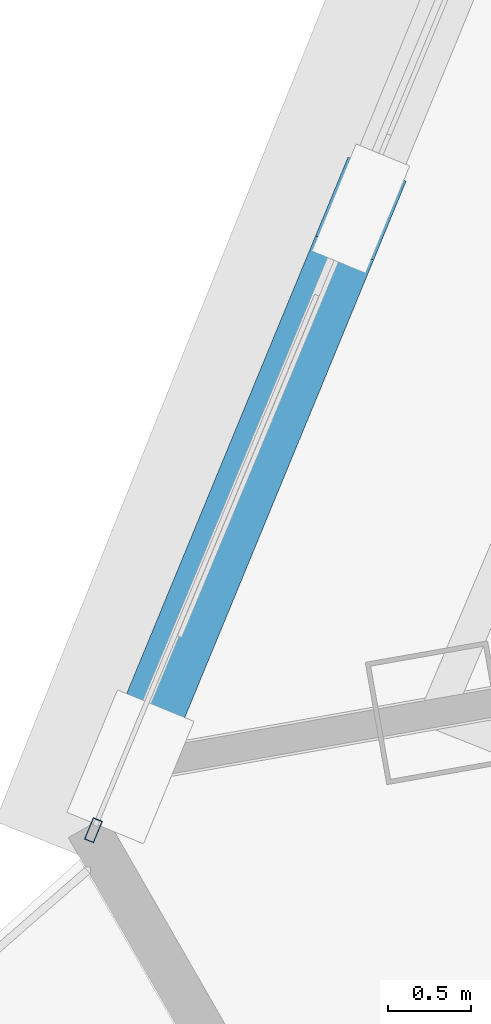
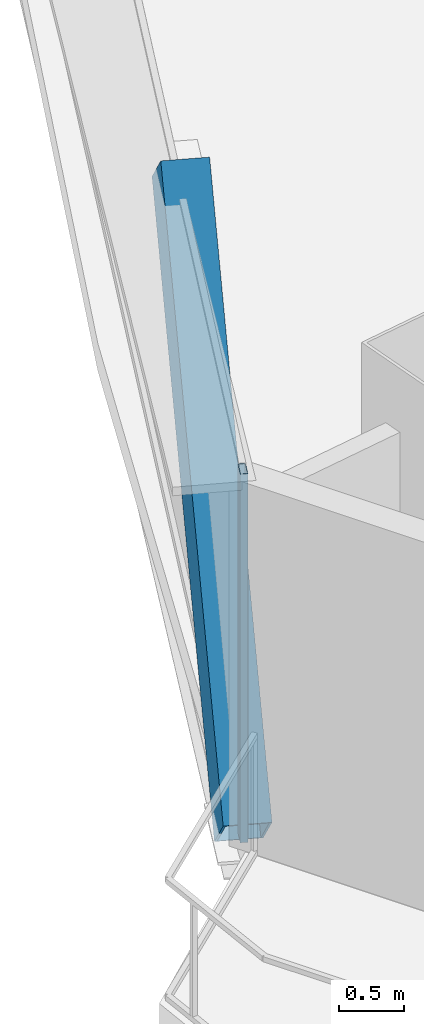
# One storey, part 4 of 35: 2 members, 1 element without a shape of its own.
"""IFC4 building model written with IfcOpenShell, lengths in metres."""

from ifc_helpers import new_model, si_unit, direction, frame, origin, origin_2d, place, context, subcontext, project, spatial, hollow_rectangle, extrude, source, transform, mapped, material, layer, layer_set, material_profile, profile_set, type_object, element, aggregate, save


model = new_model("IFC4")

# Units and contexts
model_context = context("Model", 3, precision=1e-05, world=origin(), true_north=direction((0.0, 1.0)))
body_context = subcontext(model_context, "Body", "Model", "MODEL_VIEW")
ifc_project = project(units=[si_unit("LENGTHUNIT", "METRE"), si_unit("AREAUNIT", "SQUARE_METRE"), si_unit("VOLUMEUNIT", "CUBIC_METRE"), si_unit("PLANEANGLEUNIT", "RADIAN"), si_unit("MASSUNIT", "GRAM", prefix="KILO"), si_unit("THERMODYNAMICTEMPERATUREUNIT", "KELVIN"), si_unit("POWERUNIT", "WATT")], contexts=[model_context])

# Site, building, storey
site_placement = place(None, origin())
site = spatial("IfcSite", under=ifc_project, at=site_placement, CompositionType="ELEMENT")
building_placement = place(site_placement, origin())
building = spatial("IfcBuilding", under=site, at=building_placement, Name="Yunzhuo Pagoda Commons", CompositionType="ELEMENT")
storey_placement = place(building_placement, frame((0.0, 0.0, 303.669921875)))
storey = spatial("IfcBuildingStorey", under=building, at=storey_placement, Name="L76", CompositionType="ELEMENT", Elevation=303.669921875)

# Member
ifc_material_1 = material(Name="Structural steel Q355B", Category="steel")
ifc_material_profile_1 = material_profile(ifc_material_1, hollow_rectangle(XDim=0.3798828125, YDim=0.719970703125, WallThickness=0.02001953125, at=origin_2d()), Name="Structural steel Q355B")
ifc_profile_set_1 = profile_set([ifc_material_profile_1], Name="Structural steel Q355B")
member_type_1 = type_object("IfcMemberType", Name="M-DL3 Brace BOX 720x380x20", PredefinedType="BRACE", material=ifc_profile_set_1)
shared_shape_1 = source(origin(), body_context, "Body", "SweptSolid", [
    extrude(hollow_rectangle(XDim=0.3798828125, YDim=0.719970703125, WallThickness=0.02001953125, at=origin_2d()), origin(), (0.0, 0.0, 1.0), 5.217041015625),
])
member_1_placement = place(storey_placement, frame((17.486083984375, 28.319580078125, -0.260009765625), z_axis=(0.266649685791, 0.64631428755, 0.71496558433), x_axis=(-0.924415889146, 0.38138597758, 0.0)))
element("IfcMember", 1, at=member_1_placement, inside=storey, type_object=member_type_1, Name="L76 facade diamond brace F3.3R", PredefinedType="BRACE", context=body_context, shape_type="MappedRepresentation", body=[
    mapped(shared_shape_1, transform((0.0, 0.0, 0.0), scale=1.0)),
])

# Curtain wall, member
ifc_material_2 = material(Name="Anodized aluminium 6063-T6", Category="aluminium")
ifc_layer = layer(ifc_material_2, 0.139892578125)
ifc_layer_set = layer_set([ifc_layer], Name="Anodized aluminium 6063-T6")
curtain_wall_type = type_object("IfcCurtainWallType", Name="CW-HI High-Zone Ribbon Curtain Wall", PredefinedType="NOTDEFINED", material=ifc_layer_set)
curtain_wall_placement = place(storey_placement, origin())
curtain_wall = element("IfcCurtainWall", 2, at=curtain_wall_placement, inside=storey, type_object=curtain_wall_type, Name="L76 curtain wall CW-L76-F3B4", PredefinedType="NOTDEFINED")
ifc_material_profile_2 = material_profile(ifc_material_2, hollow_rectangle(XDim=0.06005859375, YDim=0.139892578125, WallThickness=0.00341796875, at=origin_2d()), Name="Anodized aluminium 6063-T6")
ifc_profile_set_2 = profile_set([ifc_material_profile_2], Name="Anodized aluminium 6063-T6")
member_type_2 = type_object("IfcMemberType", Name="CW-HI-M Mullion RHS 140x60x3.5", PredefinedType="MULLION", material=ifc_profile_set_2)
shared_shape_2 = source(origin(), body_context, "Body", "SweptSolid", [
    extrude(hollow_rectangle(XDim=0.06005859375, YDim=0.139892578125, WallThickness=0.00341796875, at=origin_2d()), origin(), (0.0, 0.0, 1.0), 3.469970703125),
])
member_2_placement = place(storey_placement, frame((17.26220703125, 27.9365234375, 0.0), z_axis=(0.0, 0.0, 1.0), x_axis=(0.922876210298, -0.385096741697, 0.0)))
member_2 = element("IfcMember", 3, at=member_2_placement, type_object=member_type_2, Name="CW mullion 2", PredefinedType="MULLION", context=body_context, shape_type="MappedRepresentation", body=[
    mapped(shared_shape_2, transform((0.0, 0.0, 0.0), scale=1.0)),
])
aggregate(curtain_wall, [member_2])

save(model, "model.ifc")
